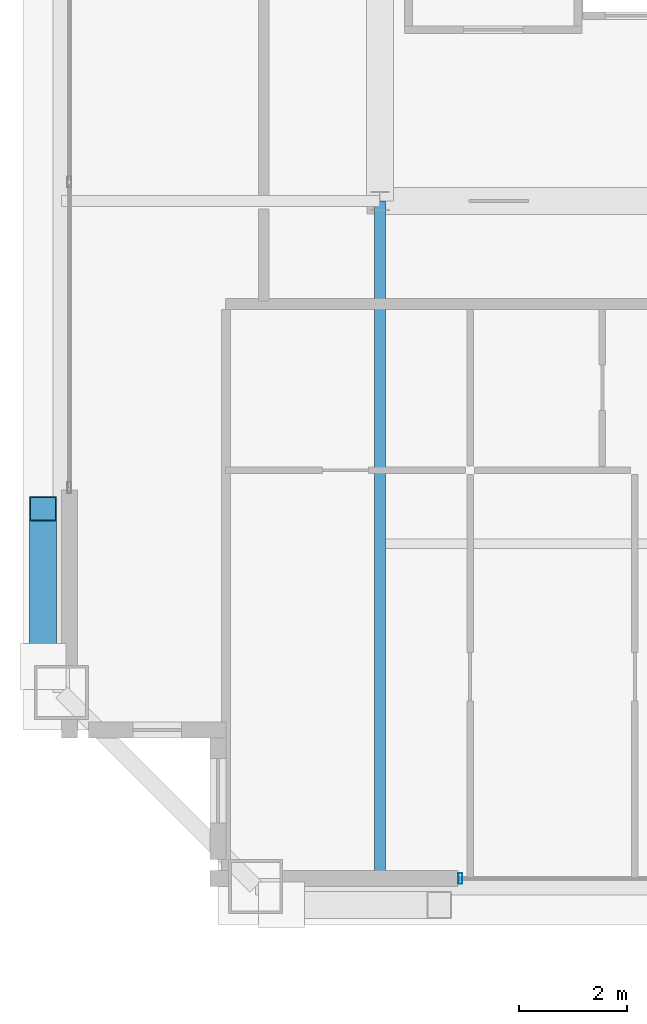
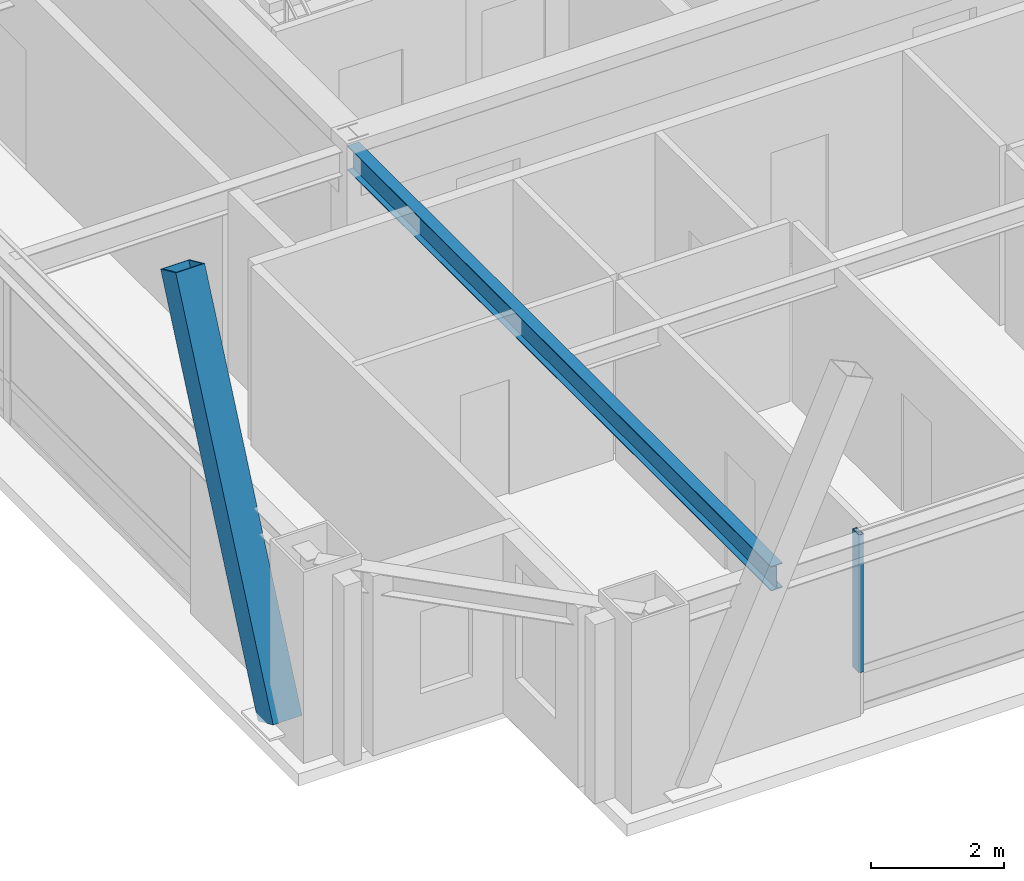
# One storey, part 4 of 35: 2 members, 1 beam, 1 element without a shape of its own.
"""IFC4 building model written with IfcOpenShell, lengths in metres."""

from ifc_helpers import new_model, si_unit, direction, frame, origin, origin_2d, place, context, subcontext, project, spatial, hollow_rectangle, i_section, extrude, source, transform, mapped, material, layer, layer_set, material_profile, profile_set, type_object, element, aggregate, save


model = new_model("IFC4")

# Units and contexts
model_context = context("Model", 3, precision=1e-05, world=origin(), true_north=direction((0.0, 1.0)))
body_context = subcontext(model_context, "Body", "Model", "MODEL_VIEW")
ifc_project = project(units=[si_unit("LENGTHUNIT", "METRE"), si_unit("AREAUNIT", "SQUARE_METRE"), si_unit("VOLUMEUNIT", "CUBIC_METRE"), si_unit("PLANEANGLEUNIT", "RADIAN"), si_unit("MASSUNIT", "GRAM", prefix="KILO"), si_unit("THERMODYNAMICTEMPERATUREUNIT", "KELVIN"), si_unit("POWERUNIT", "WATT")], contexts=[model_context])

# Site, building, storey
site_placement = place(None, origin())
site = spatial("IfcSite", under=ifc_project, at=site_placement, CompositionType="ELEMENT")
building_placement = place(site_placement, origin())
building = spatial("IfcBuilding", under=site, at=building_placement, Name="Yuzanri Waterfront Tower", CompositionType="ELEMENT")
storey_placement = place(building_placement, frame((0.0, 0.0, 299.60009765625)))
storey = spatial("IfcBuildingStorey", under=building, at=storey_placement, Name="L80", CompositionType="ELEMENT", Elevation=299.60009765625)

# Beam
ifc_material_1 = material(Name="Steel Q355B", Category="steel")
ifc_material_profile_1 = material_profile(ifc_material_1, i_section(OverallWidth=0.199951171875, OverallDepth=0.449951171875, WebThickness=0.009033203125, FlangeThickness=0.013916015625, at=origin_2d()), Name="HN 450x200x9x14")
ifc_profile_set_1 = profile_set([ifc_material_profile_1], Name="Steel Q355B")
beam_type = type_object("IfcBeamType", Name="Secondary Floor Beam Q355B HN 450x200", PredefinedType="BEAM", material=ifc_profile_set_1)
shared_shape_1 = source(origin(), body_context, "Body", "SweptSolid", [
    extrude(i_section(OverallWidth=0.199951171875, OverallDepth=0.449951171875, WebThickness=0.009033203125, FlangeThickness=0.013916015625, at=origin_2d()), origin(), (0.0, 0.0, 1.0), 12.699951171875),
])
beam_placement = place(storey_placement, frame((23.800048828125, 19.39990234375, 3.054931640625), z_axis=(0.0, -1.0, 0.0), x_axis=(1.0, 0.0, 0.0)))
element("IfcBeam", 1, at=beam_placement, inside=storey, type_object=beam_type, Name="L80 South-West Core Line Beam", PredefinedType="BEAM", context=body_context, shape_type="MappedRepresentation", body=[
    mapped(shared_shape_1, transform((0.0, 0.0, 0.0), scale=1.0)),
])

# Member
ifc_material_2 = material(Name="Steel Q390GJC", Category="steel")
ifc_material_profile_2 = material_profile(ifc_material_2, hollow_rectangle(XDim=0.5, YDim=0.5, WallThickness=0.02197265625, at=origin_2d()), Name="RHS 500x500x22")
ifc_profile_set_2 = profile_set([ifc_material_profile_2], Name="Steel Q390GJC")
member_type_1 = type_object("IfcMemberType", Name="Mega Brace Upper Q390GJC RHS 500x500x22", PredefinedType="BRACE", material=ifc_profile_set_2)
shared_shape_2 = source(origin(), body_context, "Body", "SweptSolid", [
    extrude(hollow_rectangle(XDim=0.5, YDim=0.5, WallThickness=0.02197265625, at=origin_2d()), origin(), (0.0, 0.0, 1.0), 7.125732421875),
])
member_1_placement = place(storey_placement, frame((17.56005859375, 10.780029296875, 0.179931640625), z_axis=(0.0, 0.409771952938, 0.912187999584), x_axis=(-1.0, 0.0, 0.0)))
element("IfcMember", 2, at=member_1_placement, inside=storey, type_object=member_type_1, Name="L80-L81 Perimeter Mega-Brace W-L", PredefinedType="BRACE", context=body_context, shape_type="MappedRepresentation", body=[
    mapped(shared_shape_2, transform((0.0, 0.0, 0.0), scale=1.0)),
])

# Curtain wall, member
ifc_material_3 = material(Name="Anodized Architectural Bronze", Category="metal")
ifc_layer = layer(ifc_material_3, 0.159912109375)
ifc_layer_set = layer_set([ifc_layer], Name="Anodized Architectural Bronze")
curtain_wall_type = type_object("IfcCurtainWallType", Name="Anodized Bronze High-Rise Penthouse High-Wind Unitized Curtain Wall 6900", PredefinedType="NOTDEFINED", material=ifc_layer_set)
curtain_wall_placement = place(storey_placement, origin())
curtain_wall = element("IfcCurtainWall", 3, at=curtain_wall_placement, inside=storey, type_object=curtain_wall_type, Name="L80 Curtain Wall CW-L80-SL", PredefinedType="NOTDEFINED")
ifc_material_4 = material(Name="Anodized Architectural Bronze", Category="metal")
ifc_material_profile_3 = material_profile(ifc_material_4, hollow_rectangle(XDim=0.074951171875, YDim=0.199951171875, WallThickness=0.00390625, at=origin_2d()), Name="CWM 75x200")
ifc_profile_set_3 = profile_set([ifc_material_profile_3], Name="Anodized Architectural Bronze")
member_type_2 = type_object("IfcMemberType", Name="Anodized Bronze Primary Curtain-Wall Mullion 75x200", PredefinedType="MULLION", material=ifc_profile_set_3)
shared_shape_3 = source(origin(), body_context, "Body", "SweptSolid", [
    extrude(hollow_rectangle(XDim=0.074951171875, YDim=0.199951171875, WallThickness=0.00390625, at=origin_2d()), origin(), (0.0, 0.0, 1.0), 2.52392578125),
])
member_2_placement = place(storey_placement, frame((25.2900390625, 6.85009765625, 0.755859375), z_axis=(0.0, 0.0, 1.0), x_axis=(1.0, 0.0, 0.0)))
member_2 = element("IfcMember", 4, at=member_2_placement, type_object=member_type_2, Name="CW-L80-SL Upper Mullion 00", PredefinedType="MULLION", context=body_context, shape_type="MappedRepresentation", body=[
    mapped(shared_shape_3, transform((0.0, 0.0, 0.0), scale=1.0)),
])
aggregate(curtain_wall, [member_2])

save(model, "model.ifc")
